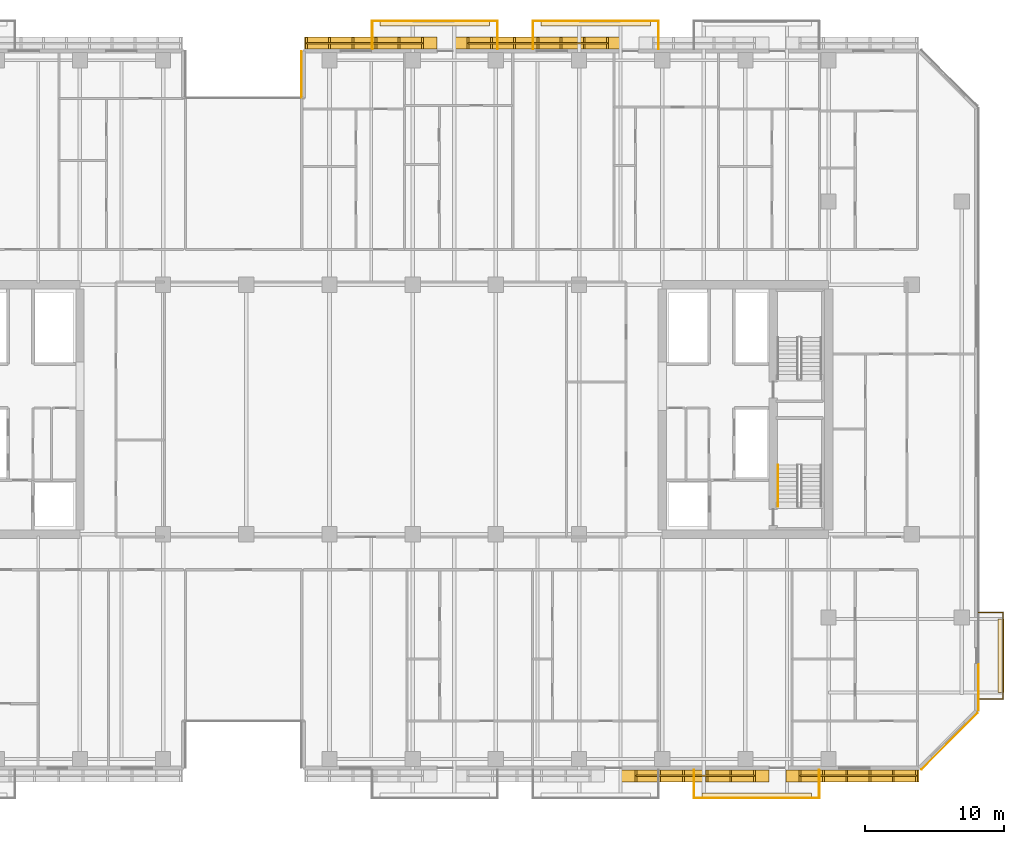
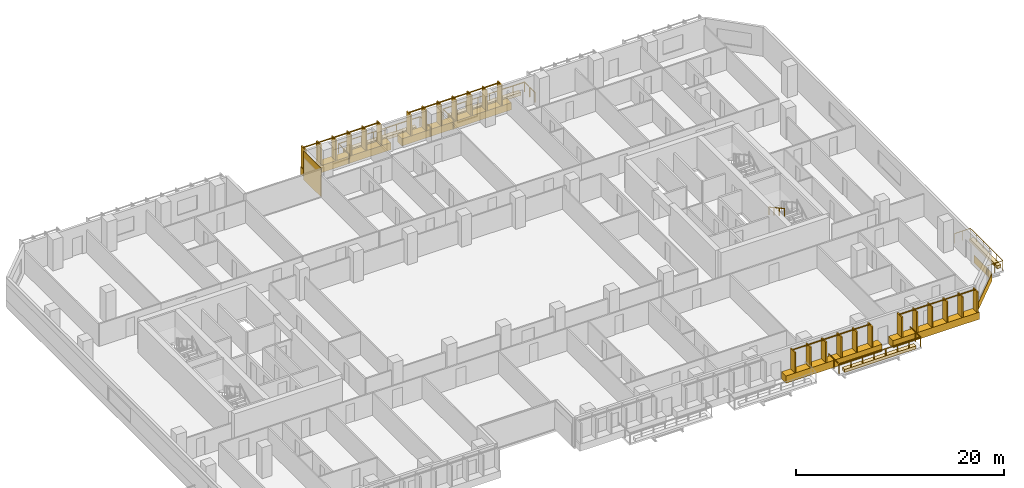
# One storey, part 23 of 26: 11 coverings, 9 railings.
"""IFC4 building model written with IfcOpenShell, lengths in metres."""

from ifc_helpers import new_model, si_unit, direction, frame, origin, origin_2d, place, context, subcontext, project, spatial, polyline, rectangle, outline, extrude, material, layer, layer_set, type_object, element, save


model = new_model("IFC4")

# Units and contexts
model_context = context("Model", 3, precision=1e-05, world=origin(), true_north=direction((0.0, 1.0)))
body_context = subcontext(model_context, "Body", "Model", "MODEL_VIEW")
ifc_project = project(units=[si_unit("LENGTHUNIT", "METRE"), si_unit("AREAUNIT", "SQUARE_METRE"), si_unit("VOLUMEUNIT", "CUBIC_METRE"), si_unit("PLANEANGLEUNIT", "RADIAN"), si_unit("MASSUNIT", "GRAM", prefix="KILO")], contexts=[model_context])

# Site, building, storey
site_placement = place(None, origin())
site = spatial("IfcSite", under=ifc_project, at=site_placement, CompositionType="ELEMENT")
building_placement = place(site_placement, origin())
building = spatial("IfcBuilding", under=site, at=building_placement, Name="Tanjung Sevakor Pilgrim Tower", CompositionType="ELEMENT")
storey_placement = place(building_placement, frame((0.0, 0.0, 66.0)))
storey = spatial("IfcBuildingStorey", under=building, at=storey_placement, Name="L18", CompositionType="ELEMENT", Elevation=66.0)

# Coverings
ifc_material_1 = material(Name="Reconstructed Limestone Cladding", Category="masonry")
ifc_layer_1 = layer(ifc_material_1, 0.044921875)
ifc_layer_set_1 = layer_set([ifc_layer_1], Name="COV-CLAD-LIMESTONE")
covering_type_1 = type_object("IfcCoveringType", Name="COV-CLAD-LIMESTONE", PredefinedType="CLADDING", material=ifc_layer_set_1)
covering_1_placement = place(storey_placement, frame((80.375, 7.169921875, 0.009765625), z_axis=(0.0, 0.0, 1.0), x_axis=(1.0, 0.0, 0.0)))
element("IfcCovering", 1, at=covering_1_placement, inside=storey, type_object=covering_type_1, Name="L18 Warm Limestone Sill Spandrel EW-L18-MAIN-5-3", PredefinedType="CLADDING", context=body_context, shape_type="SweptSolid", body=[
    extrude(rectangle(XDim=10.6298828125, YDim=0.860107421875, at=origin_2d()), origin(), (0.0, 0.0, 1.0), 0.840087890625),
])
covering_2_placement = place(storey_placement, frame((91.7060546875, 7.169921875, 0.009765625), z_axis=(0.0, 0.0, 1.0), x_axis=(1.0, 0.0, 0.0)))
element("IfcCovering", 2, at=covering_2_placement, inside=storey, type_object=covering_type_1, Name="L18 Warm Limestone Sill Spandrel EW-L18-MAIN-5-4", PredefinedType="CLADDING", context=body_context, shape_type="SweptSolid", body=[
    extrude(rectangle(XDim=9.592041015625, YDim=0.860107421875, at=origin_2d()), origin(), (0.0, 0.0, 1.0), 0.840087890625),
])
covering_3_placement = place(storey_placement, frame((98.7158203125, 9.68408203125, 0.009765625), z_axis=(0.0, 0.0, 1.0), x_axis=(0.707106781187, 0.707106781187, 0.0)))
element("IfcCovering", 3, at=covering_3_placement, inside=storey, type_object=covering_type_1, Name="L18 Warm Limestone Sill Spandrel EW-CHM-L18-MAIN-5-1", PredefinedType="CLADDING", context=body_context, shape_type="SweptSolid", body=[
    extrude(rectangle(XDim=5.74365234375, YDim=0.044921875, at=origin_2d()), origin(), (0.0, 0.0, 1.0), 0.840087890625),
])
covering_4_placement = place(storey_placement, frame((100.822509765625, 13.569091796875, 0.009765625), z_axis=(0.0, 0.0, 1.0), x_axis=(0.0, 1.0, 0.0)))
element("IfcCovering", 4, at=covering_4_placement, inside=storey, type_object=covering_type_1, Name="L18 Warm Limestone Sill Spandrel EW-L18-MAIN-7-1", PredefinedType="CLADDING", context=body_context, shape_type="SweptSolid", body=[
    extrude(rectangle(XDim=3.342041015625, YDim=0.044921875, at=origin_2d()), origin(), (0.0, 0.0, 1.0), 0.840087890625),
])
covering_5_placement = place(storey_placement, frame((69.02490234375, 60.030029296875, 0.009765625), z_axis=(0.0, 0.0, 1.0), x_axis=(-1.0, 0.0, 0.0)))
element("IfcCovering", 5, at=covering_5_placement, inside=storey, type_object=covering_type_1, Name="L18 Warm Limestone Sill Spandrel EW-L18-MAIN-9-3", PredefinedType="CLADDING", context=body_context, shape_type="SweptSolid", body=[
    extrude(rectangle(XDim=12.1298828125, YDim=0.860107421875, at=origin_2d()), origin(), (0.0, 0.0, 1.0), 0.840087890625),
])
covering_6_placement = place(storey_placement, frame((56.9599609375, 60.030029296875, 0.009765625), z_axis=(0.0, 0.0, 1.0), x_axis=(-1.0, 0.0, 0.0)))
element("IfcCovering", 6, at=covering_6_placement, inside=storey, type_object=covering_type_1, Name="L18 Warm Limestone Sill Spandrel EW-L18-MAIN-9-4", PredefinedType="CLADDING", context=body_context, shape_type="SweptSolid", body=[
    extrude(rectangle(XDim=9.56005859375, YDim=0.860107421875, at=origin_2d()), origin(), (0.0, 0.0, 1.0), 0.840087890625),
])
covering_7_placement = place(storey_placement, frame((51.9775390625, 57.760009765625, 0.02001953125), z_axis=(0.0, 0.0, 1.0), x_axis=(0.0, -1.0, 0.0)))
element("IfcCovering", 7, at=covering_7_placement, inside=storey, type_object=covering_type_1, Name="L18 Warm Limestone Wall Cladding EW-L18-MAIN-10", PredefinedType="CLADDING", context=body_context, shape_type="SweptSolid", body=[
    extrude(rectangle(XDim=3.360107421875, YDim=0.044921875, at=origin_2d()), origin(), (0.0, 0.0, 1.0), 3.3701171875),
])
ifc_material_2 = material(Name="Vegetated Modular Planter Assembly", Category="organic")
ifc_layer_2 = layer(ifc_material_2, 0.35009765625)
ifc_layer_set_2 = layer_set([ifc_layer_2], Name="COV-GRN-TROUGH")
covering_type_2 = type_object("IfcCoveringType", Name="COV-GRN-TROUGH", PredefinedType="CLADDING", material=ifc_layer_set_2)
covering_8_placement = place(storey_placement, origin())
element("IfcCovering", 8, at=covering_8_placement, inside=storey, type_object=covering_type_2, Name="L18 Planted Landscape Hedge Trough BGRN-L18-MAIN-N2", PredefinedType="CLADDING", context=body_context, shape_type="SweptSolid", body=[
    extrude(outline(polyline([(57.64990234375, 61.260009765625), (65.550048828125, 61.260009765625), (65.550048828125, 61.699951171875), (57.64990234375, 61.699951171875), (57.64990234375, 61.260009765625)])), origin(), (0.0, 0.0, 1.0), 0.35009765625),
])
covering_9_placement = place(storey_placement, origin())
element("IfcCovering", 9, at=covering_9_placement, inside=storey, type_object=covering_type_2, Name="L18 Planted Landscape Hedge Trough BGRN-L18-MAIN-N3", PredefinedType="CLADDING", context=body_context, shape_type="SweptSolid", body=[
    extrude(outline(polyline([(69.25, 61.260009765625), (77.14990234375, 61.260009765625), (77.14990234375, 61.699951171875), (69.25, 61.699951171875), (69.25, 61.260009765625)])), origin(), (0.0, 0.0, 1.0), 0.35009765625),
])
covering_10_placement = place(storey_placement, origin())
element("IfcCovering", 10, at=covering_10_placement, inside=storey, type_object=covering_type_2, Name="L18 Planted Landscape Hedge Trough BGRN-L18-MAIN-S4", PredefinedType="CLADDING", context=body_context, shape_type="SweptSolid", body=[
    extrude(outline(polyline([(80.85009765625, 5.5), (88.75, 5.5), (88.75, 5.93994140625), (80.85009765625, 5.93994140625), (80.85009765625, 5.5)])), origin(), (0.0, 0.0, 1.0), 0.35009765625),
])
covering_11_placement = place(storey_placement, origin())
element("IfcCovering", 11, at=covering_11_placement, inside=storey, type_object=covering_type_2, Name="L18 Planted Landscape Hedge Trough BGRN-L18-MAIN-E1", PredefinedType="CLADDING", context=body_context, shape_type="SweptSolid", body=[
    extrude(outline(polyline([(102.64990234375, 13.199951171875), (102.64990234375, 18.5), (102.2099609375, 18.5), (102.2099609375, 13.199951171875), (102.64990234375, 13.199951171875)])), origin(), (0.0, 0.0, 1.0), 0.35009765625),
])

# Railings
ifc_material_3 = material(Name="Laminated Glass and Aluminium", Category="aluminium")
railing_type_1 = type_object("IfcRailingType", Name="RL-BAL-BALUST", PredefinedType="BALUSTRADE", material=ifc_material_3)
railing_1_placement = place(storey_placement, frame((57.080078125, 59.60009765625, 0.0)))
element("IfcRailing", 12, at=railing_1_placement, inside=storey, type_object=railing_type_1, Name="L18 Loggia Balustrade MAIN-N2", PredefinedType="BALUSTRADE", context=body_context, shape_type="SweptSolid", body=[
    extrude(rectangle(XDim=0.0479, YDim=0.0479), frame((0.0, 0.0, 1.1259765625), z_axis=(0.0, 1.0, 0.0), x_axis=(-1.0, 0.0, 0.0)), (0.0, 0.0, 1.0), 2.02001953125),
    extrude(rectangle(XDim=0.0479, YDim=0.0479), frame((0.0, 2.02001953125, 1.1259765625), z_axis=(1.0, 0.0, 0.0), x_axis=(0.0, 1.0, 0.0)), (0.0, 0.0, 1.0), 9.0400390625),
    extrude(rectangle(XDim=0.0479, YDim=0.0479), frame((9.0400390625, 2.02001953125, 1.1259765625), z_axis=(0.0, -1.0, 0.0), x_axis=(1.0, 0.0, 0.0)), (0.0, 0.0, 1.0), 2.02001953125),
    extrude(rectangle(XDim=0.042, YDim=0.042), origin(), (0.0, 0.0, 1.0), 1.101806640625),
    extrude(rectangle(XDim=0.042, YDim=0.042), frame((0.0, 1.010009765625, 0.0)), (0.0, 0.0, 1.0), 1.101806640625),
    extrude(rectangle(XDim=0.042, YDim=0.042), frame((0.0, 2.02001953125, 0.0)), (0.0, 0.0, 1.0), 1.101806640625),
    extrude(rectangle(XDim=0.042, YDim=0.042), frame((1.29150390625, 2.02001953125, 0.0)), (0.0, 0.0, 1.0), 1.101806640625),
    extrude(rectangle(XDim=0.042, YDim=0.042), frame((2.582763671875, 2.02001953125, 0.0)), (0.0, 0.0, 1.0), 1.101806640625),
    extrude(rectangle(XDim=0.042, YDim=0.042), frame((3.874267578125, 2.02001953125, 0.0)), (0.0, 0.0, 1.0), 1.101806640625),
    extrude(rectangle(XDim=0.042, YDim=0.042), frame((5.165771484375, 2.02001953125, 0.0)), (0.0, 0.0, 1.0), 1.101806640625),
    extrude(rectangle(XDim=0.042, YDim=0.042), frame((6.457275390625, 2.02001953125, 0.0)), (0.0, 0.0, 1.0), 1.101806640625),
    extrude(rectangle(XDim=0.042, YDim=0.042), frame((7.74853515625, 2.02001953125, 0.0)), (0.0, 0.0, 1.0), 1.101806640625),
    extrude(rectangle(XDim=0.042, YDim=0.042), frame((9.0400390625, 2.02001953125, 0.0)), (0.0, 0.0, 1.0), 1.101806640625),
    extrude(rectangle(XDim=0.042, YDim=0.042), frame((9.0400390625, 1.010009765625, 0.0)), (0.0, 0.0, 1.0), 1.101806640625),
    extrude(rectangle(XDim=0.042, YDim=0.042), frame((9.0400390625, 0.0, 0.0)), (0.0, 0.0, 1.0), 1.101806640625),
])
railing_2_placement = place(storey_placement, frame((68.679931640625, 59.60009765625, 0.0)))
element("IfcRailing", 13, at=railing_2_placement, inside=storey, type_object=railing_type_1, Name="L18 Loggia Balustrade MAIN-N3", PredefinedType="BALUSTRADE", context=body_context, shape_type="SweptSolid", body=[
    extrude(rectangle(XDim=0.0479, YDim=0.0479), frame((0.0, 0.0, 1.1259765625), z_axis=(0.0, 1.0, 0.0), x_axis=(-1.0, 0.0, 0.0)), (0.0, 0.0, 1.0), 2.02001953125),
    extrude(rectangle(XDim=0.0479, YDim=0.0479), frame((0.0, 2.02001953125, 1.1259765625), z_axis=(1.0, 0.0, 0.0), x_axis=(0.0, 1.0, 0.0)), (0.0, 0.0, 1.0), 9.0400390625),
    extrude(rectangle(XDim=0.0479, YDim=0.0479), frame((9.0400390625, 2.02001953125, 1.1259765625), z_axis=(0.0, -1.0, 0.0), x_axis=(1.0, 0.0, 0.0)), (0.0, 0.0, 1.0), 2.02001953125),
    extrude(rectangle(XDim=0.042, YDim=0.042), origin(), (0.0, 0.0, 1.0), 1.101806640625),
    extrude(rectangle(XDim=0.042, YDim=0.042), frame((0.0, 1.010009765625, 0.0)), (0.0, 0.0, 1.0), 1.101806640625),
    extrude(rectangle(XDim=0.042, YDim=0.042), frame((0.0, 2.02001953125, 0.0)), (0.0, 0.0, 1.0), 1.101806640625),
    extrude(rectangle(XDim=0.042, YDim=0.042), frame((1.29150390625, 2.02001953125, 0.0)), (0.0, 0.0, 1.0), 1.101806640625),
    extrude(rectangle(XDim=0.042, YDim=0.042), frame((2.582763671875, 2.02001953125, 0.0)), (0.0, 0.0, 1.0), 1.101806640625),
    extrude(rectangle(XDim=0.042, YDim=0.042), frame((3.874267578125, 2.02001953125, 0.0)), (0.0, 0.0, 1.0), 1.101806640625),
    extrude(rectangle(XDim=0.042, YDim=0.042), frame((5.165771484375, 2.02001953125, 0.0)), (0.0, 0.0, 1.0), 1.101806640625),
    extrude(rectangle(XDim=0.042, YDim=0.042), frame((6.457275390625, 2.02001953125, 0.0)), (0.0, 0.0, 1.0), 1.101806640625),
    extrude(rectangle(XDim=0.042, YDim=0.042), frame((7.74853515625, 2.02001953125, 0.0)), (0.0, 0.0, 1.0), 1.101806640625),
    extrude(rectangle(XDim=0.042, YDim=0.042), frame((9.0400390625, 2.02001953125, 0.0)), (0.0, 0.0, 1.0), 1.101806640625),
    extrude(rectangle(XDim=0.042, YDim=0.042), frame((9.0400390625, 1.010009765625, 0.0)), (0.0, 0.0, 1.0), 1.101806640625),
    extrude(rectangle(XDim=0.042, YDim=0.042), frame((9.0400390625, 0.0, 0.0)), (0.0, 0.0, 1.0), 1.101806640625),
])
railing_3_placement = place(storey_placement, frame((80.280029296875, 7.60009765625, 0.0)))
element("IfcRailing", 14, at=railing_3_placement, inside=storey, type_object=railing_type_1, Name="L18 Loggia Balustrade MAIN-S4", PredefinedType="BALUSTRADE", context=body_context, shape_type="SweptSolid", body=[
    extrude(rectangle(XDim=0.0479, YDim=0.0479), frame((0.0, 0.0, 1.1259765625), z_axis=(0.0, -1.0, 0.0), x_axis=(1.0, 0.0, 0.0)), (0.0, 0.0, 1.0), 2.02001953125),
    extrude(rectangle(XDim=0.0479, YDim=0.0479), frame((0.0, -2.02001953125, 1.1259765625), z_axis=(1.0, 0.0, 0.0), x_axis=(0.0, 1.0, 0.0)), (0.0, 0.0, 1.0), 9.0400390625),
    extrude(rectangle(XDim=0.0479, YDim=0.0479), frame((9.0400390625, -2.02001953125, 1.1259765625), z_axis=(0.0, 1.0, 0.0), x_axis=(-1.0, 0.0, 0.0)), (0.0, 0.0, 1.0), 2.02001953125),
    extrude(rectangle(XDim=0.042, YDim=0.042), origin(), (0.0, 0.0, 1.0), 1.101806640625),
    extrude(rectangle(XDim=0.042, YDim=0.042), frame((0.0, -1.010009765625, 0.0)), (0.0, 0.0, 1.0), 1.101806640625),
    extrude(rectangle(XDim=0.042, YDim=0.042), frame((0.0, -2.02001953125, 0.0)), (0.0, 0.0, 1.0), 1.101806640625),
    extrude(rectangle(XDim=0.042, YDim=0.042), frame((1.29150390625, -2.02001953125, 0.0)), (0.0, 0.0, 1.0), 1.101806640625),
    extrude(rectangle(XDim=0.042, YDim=0.042), frame((2.582763671875, -2.02001953125, 0.0)), (0.0, 0.0, 1.0), 1.101806640625),
    extrude(rectangle(XDim=0.042, YDim=0.042), frame((3.874267578125, -2.02001953125, 0.0)), (0.0, 0.0, 1.0), 1.101806640625),
    extrude(rectangle(XDim=0.042, YDim=0.042), frame((5.165771484375, -2.02001953125, 0.0)), (0.0, 0.0, 1.0), 1.101806640625),
    extrude(rectangle(XDim=0.042, YDim=0.042), frame((6.457275390625, -2.02001953125, 0.0)), (0.0, 0.0, 1.0), 1.101806640625),
    extrude(rectangle(XDim=0.042, YDim=0.042), frame((7.74853515625, -2.02001953125, 0.0)), (0.0, 0.0, 1.0), 1.101806640625),
    extrude(rectangle(XDim=0.042, YDim=0.042), frame((9.0400390625, -2.02001953125, 0.0)), (0.0, 0.0, 1.0), 1.101806640625),
    extrude(rectangle(XDim=0.042, YDim=0.042), frame((9.0400390625, -1.010009765625, 0.0)), (0.0, 0.0, 1.0), 1.101806640625),
    extrude(rectangle(XDim=0.042, YDim=0.042), frame((9.0400390625, 0.0, 0.0)), (0.0, 0.0, 1.0), 1.101806640625),
])
railing_4_placement = place(storey_placement, frame((100.800048828125, 12.72998046875, 0.0)))
element("IfcRailing", 15, at=railing_4_placement, inside=storey, type_object=railing_type_1, Name="L18 Loggia Balustrade MAIN-E1", PredefinedType="BALUSTRADE", context=body_context, shape_type="SweptSolid", body=[
    extrude(rectangle(XDim=0.0479, YDim=0.0479), frame((0.0, 0.0, 1.1259765625), z_axis=(1.0, 0.0, 0.0), x_axis=(0.0, 1.0, 0.0)), (0.0, 0.0, 1.0), 1.77001953125),
    extrude(rectangle(XDim=0.0479, YDim=0.0479), frame((1.77001953125, 0.0, 1.1259765625), z_axis=(0.0, 1.0, 0.0), x_axis=(-1.0, 0.0, 0.0)), (0.0, 0.0, 1.0), 6.239990234375),
    extrude(rectangle(XDim=0.0479, YDim=0.0479), frame((1.77001953125, 6.239990234375, 1.1259765625), z_axis=(-1.0, 0.0, 0.0), x_axis=(0.0, -1.0, 0.0)), (0.0, 0.0, 1.0), 1.77001953125),
    extrude(rectangle(XDim=0.042, YDim=0.042), origin(), (0.0, 0.0, 1.0), 1.101806640625),
    extrude(rectangle(XDim=0.042, YDim=0.042), frame((0.885009765625, 0.0, 0.0)), (0.0, 0.0, 1.0), 1.101806640625),
    extrude(rectangle(XDim=0.042, YDim=0.042), frame((1.77001953125, 0.0, 0.0)), (0.0, 0.0, 1.0), 1.101806640625),
    extrude(rectangle(XDim=0.042, YDim=0.042), frame((1.77001953125, 1.248046875, 0.0)), (0.0, 0.0, 1.0), 1.101806640625),
    extrude(rectangle(XDim=0.042, YDim=0.042), frame((1.77001953125, 2.49609375, 0.0)), (0.0, 0.0, 1.0), 1.101806640625),
    extrude(rectangle(XDim=0.042, YDim=0.042), frame((1.77001953125, 3.743896484375, 0.0)), (0.0, 0.0, 1.0), 1.101806640625),
    extrude(rectangle(XDim=0.042, YDim=0.042), frame((1.77001953125, 4.991943359375, 0.0)), (0.0, 0.0, 1.0), 1.101806640625),
    extrude(rectangle(XDim=0.042, YDim=0.042), frame((1.77001953125, 6.239990234375, 0.0)), (0.0, 0.0, 1.0), 1.101806640625),
    extrude(rectangle(XDim=0.042, YDim=0.042), frame((0.885009765625, 6.239990234375, 0.0)), (0.0, 0.0, 1.0), 1.101806640625),
    extrude(rectangle(XDim=0.042, YDim=0.042), frame((0.0, 6.239990234375, 0.0)), (0.0, 0.0, 1.0), 1.101806640625),
])
ifc_material_4 = material(Name="Anodised Bronze Aluminium 6063-T6", Category="aluminium")
railing_type_2 = type_object("IfcRailingType", Name="RL-FIN-SCREEN", PredefinedType="BALUSTRADE", material=ifc_material_4)
railing_5_placement = place(storey_placement, frame((76.10009765625, 7.175048828125, 0.840087890625)))
element("IfcRailing", 16, at=railing_5_placement, inside=storey, type_object=railing_type_2, Name="L18 Vertical Bronze-Gold Solar Fin Screen FNSCR-EW-L18-MAIN-5-3", PredefinedType="BALUSTRADE", context=body_context, shape_type="SweptSolid", body=[
    extrude(rectangle(XDim=0.105, YDim=0.105), frame((0.0, 0.0, 2.487548828125), z_axis=(1.0, 0.0, 0.0), x_axis=(0.0, 1.0, 0.0)), (0.0, 0.0, 1.0), 8.5498046875),
    extrude(rectangle(XDim=0.14, YDim=0.85), origin(), (0.0, 0.0, 1.0), 2.43505859375),
    extrude(rectangle(XDim=0.14, YDim=0.85), frame((1.7099609375, 0.0, 0.0)), (0.0, 0.0, 1.0), 2.43505859375),
    extrude(rectangle(XDim=0.14, YDim=0.85), frame((3.419921875, 0.0, 0.0)), (0.0, 0.0, 1.0), 2.43505859375),
    extrude(rectangle(XDim=0.14, YDim=0.85), frame((5.1298828125, 0.0, 0.0)), (0.0, 0.0, 1.0), 2.43505859375),
    extrude(rectangle(XDim=0.14, YDim=0.85), frame((6.83984375, 0.0, 0.0)), (0.0, 0.0, 1.0), 2.43505859375),
    extrude(rectangle(XDim=0.14, YDim=0.85), frame((8.5498046875, 0.0, 0.0)), (0.0, 0.0, 1.0), 2.43505859375),
])
railing_6_placement = place(storey_placement, frame((87.949951171875, 7.175048828125, 0.840087890625)))
element("IfcRailing", 17, at=railing_6_placement, inside=storey, type_object=railing_type_2, Name="L18 Vertical Bronze-Gold Solar Fin Screen FNSCR-EW-L18-MAIN-5-4", PredefinedType="BALUSTRADE", context=body_context, shape_type="SweptSolid", body=[
    extrude(rectangle(XDim=0.105, YDim=0.105), frame((0.0, 0.0, 2.487548828125), z_axis=(1.0, 0.0, 0.0), x_axis=(0.0, 1.0, 0.0)), (0.0, 0.0, 1.0), 8.39208984375),
    extrude(rectangle(XDim=0.14, YDim=0.85), origin(), (0.0, 0.0, 1.0), 2.43505859375),
    extrude(rectangle(XDim=0.14, YDim=0.85), frame((1.678466796875, 0.0, 0.0)), (0.0, 0.0, 1.0), 2.43505859375),
    extrude(rectangle(XDim=0.14, YDim=0.85), frame((3.35693359375, 0.0, 0.0)), (0.0, 0.0, 1.0), 2.43505859375),
    extrude(rectangle(XDim=0.14, YDim=0.85), frame((5.03515625, 0.0, 0.0)), (0.0, 0.0, 1.0), 2.43505859375),
    extrude(rectangle(XDim=0.14, YDim=0.85), frame((6.713623046875, 0.0, 0.0)), (0.0, 0.0, 1.0), 2.43505859375),
    extrude(rectangle(XDim=0.14, YDim=0.85), frame((8.39208984375, 0.0, 0.0)), (0.0, 0.0, 1.0), 2.43505859375),
])
railing_7_placement = place(storey_placement, frame((74.050048828125, 60.02490234375, 0.840087890625)))
element("IfcRailing", 18, at=railing_7_placement, inside=storey, type_object=railing_type_2, Name="L18 Vertical Bronze-Gold Solar Fin Screen FNSCR-EW-L18-MAIN-9-3", PredefinedType="BALUSTRADE", context=body_context, shape_type="SweptSolid", body=[
    extrude(rectangle(XDim=0.105, YDim=0.105), frame((0.0, 0.0, 2.487548828125), z_axis=(-1.0, 0.0, 0.0), x_axis=(0.0, -1.0, 0.0)), (0.0, 0.0, 1.0), 10.050048828125),
    extrude(rectangle(XDim=0.14, YDim=0.85), origin(), (0.0, 0.0, 1.0), 2.43505859375),
    extrude(rectangle(XDim=0.14, YDim=0.85), frame((-1.675048828125, 0.0, 0.0)), (0.0, 0.0, 1.0), 2.43505859375),
    extrude(rectangle(XDim=0.14, YDim=0.85), frame((-3.35009765625, 0.0, 0.0)), (0.0, 0.0, 1.0), 2.43505859375),
    extrude(rectangle(XDim=0.14, YDim=0.85), frame((-5.02490234375, 0.0, 0.0)), (0.0, 0.0, 1.0), 2.43505859375),
    extrude(rectangle(XDim=0.14, YDim=0.85), frame((-6.699951171875, 0.0, 0.0)), (0.0, 0.0, 1.0), 2.43505859375),
    extrude(rectangle(XDim=0.14, YDim=0.85), frame((-8.375, 0.0, 0.0)), (0.0, 0.0, 1.0), 2.43505859375),
    extrude(rectangle(XDim=0.14, YDim=0.85), frame((-10.050048828125, 0.0, 0.0)), (0.0, 0.0, 1.0), 2.43505859375),
])
railing_8_placement = place(storey_placement, frame((60.699951171875, 60.02490234375, 0.840087890625)))
element("IfcRailing", 19, at=railing_8_placement, inside=storey, type_object=railing_type_2, Name="L18 Vertical Bronze-Gold Solar Fin Screen FNSCR-EW-L18-MAIN-9-4", PredefinedType="BALUSTRADE", context=body_context, shape_type="SweptSolid", body=[
    extrude(rectangle(XDim=0.105, YDim=0.105), frame((0.0, 0.0, 2.487548828125), z_axis=(-1.0, 0.0, 0.0), x_axis=(0.0, -1.0, 0.0)), (0.0, 0.0, 1.0), 8.35986328125),
    extrude(rectangle(XDim=0.14, YDim=0.85), origin(), (0.0, 0.0, 1.0), 2.43505859375),
    extrude(rectangle(XDim=0.14, YDim=0.85), frame((-1.671875, 0.0, 0.0)), (0.0, 0.0, 1.0), 2.43505859375),
    extrude(rectangle(XDim=0.14, YDim=0.85), frame((-3.343994140625, 0.0, 0.0)), (0.0, 0.0, 1.0), 2.43505859375),
    extrude(rectangle(XDim=0.14, YDim=0.85), frame((-5.015869140625, 0.0, 0.0)), (0.0, 0.0, 1.0), 2.43505859375),
    extrude(rectangle(XDim=0.14, YDim=0.85), frame((-6.68798828125, 0.0, 0.0)), (0.0, 0.0, 1.0), 2.43505859375),
    extrude(rectangle(XDim=0.14, YDim=0.85), frame((-8.35986328125, 0.0, 0.0)), (0.0, 0.0, 1.0), 2.43505859375),
])
ifc_material_5 = material(Name="Steel S355J2", Category="steel")
railing_type_3 = type_object("IfcRailingType", Name="RL-STAIR-HAND", PredefinedType="HANDRAIL", material=ifc_material_5)
railing_9_placement = place(storey_placement, frame((86.35009765625, 29.60009765625, 1.97998046875)))
element("IfcRailing", 20, at=railing_9_placement, inside=storey, type_object=railing_type_3, Name="L18 TS-E1 stair handrail 2", PredefinedType="HANDRAIL", context=body_context, shape_type="SweptSolid", body=[
    extrude(rectangle(XDim=0.0479, YDim=0.0479), frame((0.0, 0.0, 0.8759765625), z_axis=(0.0, -0.876227952683, 0.48189685093), x_axis=(1.0, 0.0, 0.0)), (0.0, 0.0, 1.0), 3.423828125),
    extrude(rectangle(XDim=0.042, YDim=0.042), origin(), (0.0, 0.0, 1.0), 0.851806640625),
    extrude(rectangle(XDim=0.042, YDim=0.042), frame((0.0, -1.0, 0.550048828125)), (0.0, 0.0, 1.0), 0.851806640625),
    extrude(rectangle(XDim=0.042, YDim=0.042), frame((0.0, -2.0, 1.099853515625)), (0.0, 0.0, 1.0), 0.851806640625),
    extrude(rectangle(XDim=0.042, YDim=0.042), frame((0.0, -3.0, 1.64990234375)), (0.0, 0.0, 1.0), 0.851806640625),
])

save(model, "model.ifc")
